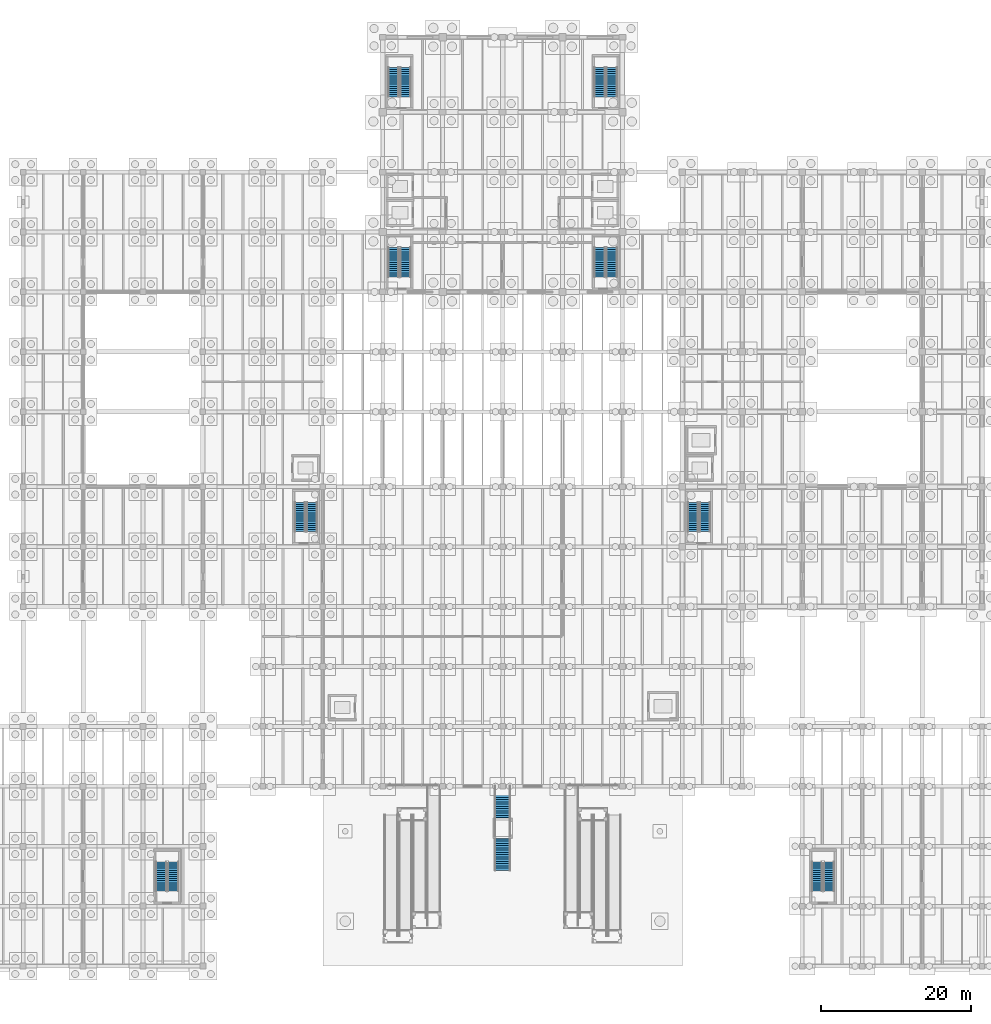
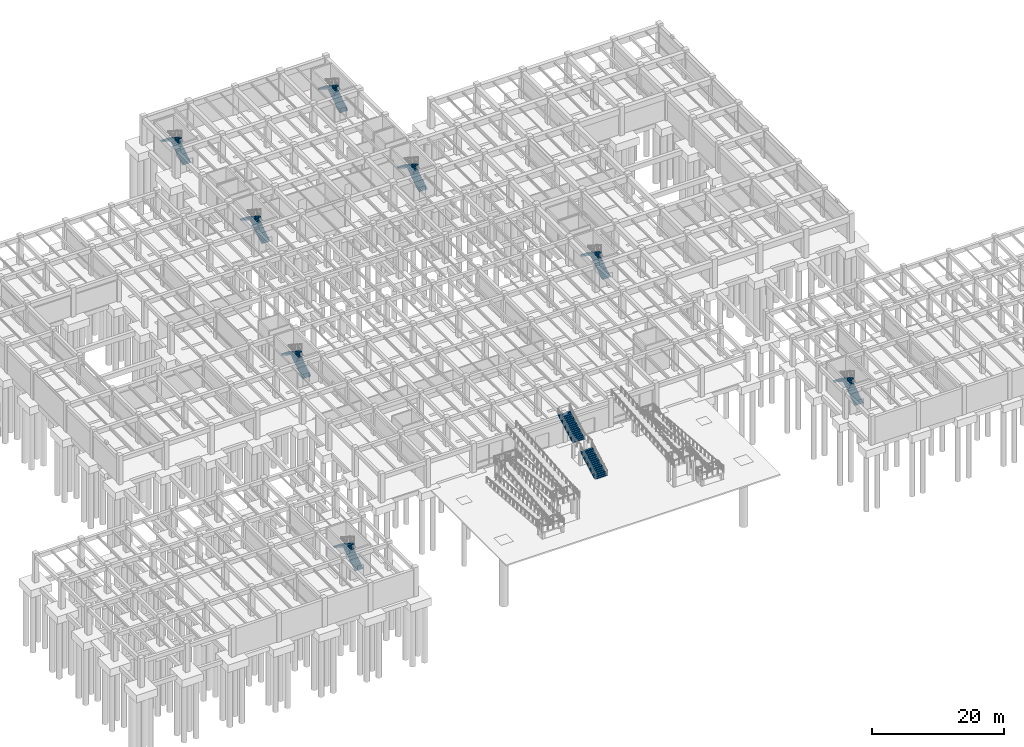
# One storey, part 31 of 44: 18 stair flights, 9 elements without a shape of their own.
"""IFC4 building model written with IfcOpenShell, lengths in metres."""

from ifc_helpers import new_model, si_unit, direction, frame, origin, place, context, subcontext, project, spatial, polyline, outline, extrude, material, type_object, element, aggregate, save


model = new_model("IFC4")

# Units and contexts
model_context = context("Model", 3, precision=1e-05, world=origin(), true_north=direction((0.0, 1.0)))
body_context = subcontext(model_context, "Body", "Model", "MODEL_VIEW")
ifc_project = project(units=[si_unit("LENGTHUNIT", "METRE"), si_unit("AREAUNIT", "SQUARE_METRE"), si_unit("VOLUMEUNIT", "CUBIC_METRE"), si_unit("PLANEANGLEUNIT", "RADIAN"), si_unit("MASSUNIT", "GRAM", prefix="KILO")], contexts=[model_context])

# Site, building, storey
site_placement = place(None, origin())
site = spatial("IfcSite", under=ifc_project, at=site_placement, CompositionType="ELEMENT")
building_placement = place(site_placement, origin())
building = spatial("IfcBuilding", under=site, at=building_placement, Name="Pecanmere Concourse Central Library", CompositionType="ELEMENT")
storey_placement = place(building_placement, frame((0.0, 0.0, -5.39990234375)))
storey = spatial("IfcBuildingStorey", under=building, at=storey_placement, Name="B1", CompositionType="ELEMENT", Elevation=-5.39990234375)

# Stair, stair flights
ifc_material_1 = material(Name="Concrete C35/45", Category="concrete")
stair_type_1 = type_object("IfcStairType", Name="STAIR_TYPE_ST-01-1800", PredefinedType="USERDEFINED", material=ifc_material_1)
stair_1_placement = place(storey_placement, origin())
stair_1 = element("IfcStair", 1, at=stair_1_placement, inside=storey, type_object=stair_type_1, Name="B1 Protected Stair ST-01", ObjectType="TWO_RETURN_STAIR", PredefinedType="USERDEFINED")
ifc_material_2 = material(Name="Concrete C35/45", Category="concrete")
stair_flight_type_1 = type_object("IfcStairFlightType", Name="FLIGHT_TYPE_SFL-145-1800", PredefinedType="STRAIGHT", material=ifc_material_2)
stair_flight_1_placement = place(storey_placement, frame((75.034912109375, 92.0, 0.0), z_axis=(0.0, 0.0, 1.0), x_axis=(0.0, 1.0, 0.0)))
stair_flight_1 = element("IfcStairFlight", 2, at=stair_flight_1_placement, type_object=stair_flight_type_1, Name="ST-01-1800 flight 1", NumberOfRisers=15, NumberOfTreads=14, PredefinedType="STRAIGHT", RiserHeight=0.18, TreadLength=0.28, context=body_context, shape_type="SweptSolid", body=[
    extrude(outline(polyline([(0.0, 0.0), (0.0, 0.179931640625), (0.280029296875, 0.179931640625), (0.280029296875, 0.360107421875), (0.56005859375, 0.360107421875), (0.56005859375, 0.5400390625), (0.840087890625, 0.5400390625), (0.840087890625, 0.719970703125), (1.1201171875, 0.719970703125), (1.1201171875, 0.89990234375), (1.39990234375, 0.89990234375), (1.39990234375, 1.080078125), (1.679931640625, 1.080078125), (1.679931640625, 1.260009765625), (1.9599609375, 1.260009765625), (1.9599609375, 1.43994140625), (2.239990234375, 1.43994140625), (2.239990234375, 1.6201171875), (2.52001953125, 1.6201171875), (2.52001953125, 1.800048828125), (2.800048828125, 1.800048828125), (2.800048828125, 1.97998046875), (3.080078125, 1.97998046875), (3.080078125, 2.159912109375), (3.360107421875, 2.159912109375), (3.360107421875, 2.340087890625), (3.639892578125, 2.340087890625), (3.639892578125, 2.52001953125), (3.919921875, 2.52001953125), (3.919921875, 2.699951171875), (3.919921875, 2.329833984375), (0.295654296875, 0.0), (0.0, 0.0)])), frame((0.0, 0.72509765625, 0.0), z_axis=(0.0, -1.0, 0.0), x_axis=(1.0, 0.0, 0.0)), (0.0, 0.0, 1.0), 1.449951171875),
])
stair_flight_2_placement = place(storey_placement, frame((73.425048828125, 95.919921875, 2.699951171875), z_axis=(0.0, 0.0, 1.0), x_axis=(0.0, -1.0, 0.0)))
stair_flight_2 = element("IfcStairFlight", 3, at=stair_flight_2_placement, type_object=stair_flight_type_1, Name="ST-01-1800 flight 2", NumberOfRisers=15, NumberOfTreads=14, PredefinedType="STRAIGHT", RiserHeight=0.18, TreadLength=0.28, context=body_context, shape_type="SweptSolid", body=[
    extrude(outline(polyline([(0.0, 0.0), (0.0, 0.179931640625), (0.280029296875, 0.179931640625), (0.280029296875, 0.360107421875), (0.56005859375, 0.360107421875), (0.56005859375, 0.5400390625), (0.840087890625, 0.5400390625), (0.840087890625, 0.719970703125), (1.1201171875, 0.719970703125), (1.1201171875, 0.89990234375), (1.39990234375, 0.89990234375), (1.39990234375, 1.080078125), (1.679931640625, 1.080078125), (1.679931640625, 1.260009765625), (1.9599609375, 1.260009765625), (1.9599609375, 1.43994140625), (2.239990234375, 1.43994140625), (2.239990234375, 1.6201171875), (2.52001953125, 1.6201171875), (2.52001953125, 1.800048828125), (2.800048828125, 1.800048828125), (2.800048828125, 1.97998046875), (3.080078125, 1.97998046875), (3.080078125, 2.159912109375), (3.360107421875, 2.159912109375), (3.360107421875, 2.340087890625), (3.639892578125, 2.340087890625), (3.639892578125, 2.52001953125), (3.919921875, 2.52001953125), (3.919921875, 2.699951171875), (3.919921875, 2.329833984375), (0.295654296875, 0.0), (0.0, 0.0)])), frame((0.0, 0.72509765625, 0.0), z_axis=(0.0, -1.0, 0.0), x_axis=(1.0, 0.0, 0.0)), (0.0, 0.0, 1.0), 1.449951171875),
])
aggregate(stair_1, [stair_flight_1, stair_flight_2])

ifc_material_3 = material(Name="Concrete C35/45", Category="concrete")
stair_type_2 = type_object("IfcStairType", Name="STAIR_TYPE_ST-02-1800", PredefinedType="USERDEFINED", material=ifc_material_3)
stair_2_placement = place(storey_placement, origin())
stair_2 = element("IfcStair", 4, at=stair_2_placement, inside=storey, type_object=stair_type_2, Name="B1 Protected Stair ST-02", ObjectType="TWO_RETURN_STAIR", PredefinedType="USERDEFINED")
stair_flight_3_placement = place(storey_placement, frame((102.574951171875, 92.0, 0.0), z_axis=(0.0, 0.0, 1.0), x_axis=(0.0, 1.0, 0.0)))
stair_flight_3 = element("IfcStairFlight", 5, at=stair_flight_3_placement, type_object=stair_flight_type_1, Name="ST-02-1800 flight 1", NumberOfRisers=15, NumberOfTreads=14, PredefinedType="STRAIGHT", RiserHeight=0.18, TreadLength=0.28, context=body_context, shape_type="SweptSolid", body=[
    extrude(outline(polyline([(0.0, 0.0), (0.0, 0.179931640625), (0.280029296875, 0.179931640625), (0.280029296875, 0.360107421875), (0.56005859375, 0.360107421875), (0.56005859375, 0.5400390625), (0.840087890625, 0.5400390625), (0.840087890625, 0.719970703125), (1.1201171875, 0.719970703125), (1.1201171875, 0.89990234375), (1.39990234375, 0.89990234375), (1.39990234375, 1.080078125), (1.679931640625, 1.080078125), (1.679931640625, 1.260009765625), (1.9599609375, 1.260009765625), (1.9599609375, 1.43994140625), (2.239990234375, 1.43994140625), (2.239990234375, 1.6201171875), (2.52001953125, 1.6201171875), (2.52001953125, 1.800048828125), (2.800048828125, 1.800048828125), (2.800048828125, 1.97998046875), (3.080078125, 1.97998046875), (3.080078125, 2.159912109375), (3.360107421875, 2.159912109375), (3.360107421875, 2.340087890625), (3.639892578125, 2.340087890625), (3.639892578125, 2.52001953125), (3.919921875, 2.52001953125), (3.919921875, 2.699951171875), (3.919921875, 2.329833984375), (0.295654296875, 0.0), (0.0, 0.0)])), frame((0.0, 0.72509765625, 0.0), z_axis=(0.0, -1.0, 0.0), x_axis=(1.0, 0.0, 0.0)), (0.0, 0.0, 1.0), 1.449951171875),
])
stair_flight_4_placement = place(storey_placement, frame((100.965087890625, 95.919921875, 2.699951171875), z_axis=(0.0, 0.0, 1.0), x_axis=(0.0, -1.0, 0.0)))
stair_flight_4 = element("IfcStairFlight", 6, at=stair_flight_4_placement, type_object=stair_flight_type_1, Name="ST-02-1800 flight 2", NumberOfRisers=15, NumberOfTreads=14, PredefinedType="STRAIGHT", RiserHeight=0.18, TreadLength=0.28, context=body_context, shape_type="SweptSolid", body=[
    extrude(outline(polyline([(0.0, 0.0), (0.0, 0.179931640625), (0.280029296875, 0.179931640625), (0.280029296875, 0.360107421875), (0.56005859375, 0.360107421875), (0.56005859375, 0.5400390625), (0.840087890625, 0.5400390625), (0.840087890625, 0.719970703125), (1.1201171875, 0.719970703125), (1.1201171875, 0.89990234375), (1.39990234375, 0.89990234375), (1.39990234375, 1.080078125), (1.679931640625, 1.080078125), (1.679931640625, 1.260009765625), (1.9599609375, 1.260009765625), (1.9599609375, 1.43994140625), (2.239990234375, 1.43994140625), (2.239990234375, 1.6201171875), (2.52001953125, 1.6201171875), (2.52001953125, 1.800048828125), (2.800048828125, 1.800048828125), (2.800048828125, 1.97998046875), (3.080078125, 1.97998046875), (3.080078125, 2.159912109375), (3.360107421875, 2.159912109375), (3.360107421875, 2.340087890625), (3.639892578125, 2.340087890625), (3.639892578125, 2.52001953125), (3.919921875, 2.52001953125), (3.919921875, 2.699951171875), (3.919921875, 2.329833984375), (0.295654296875, 0.0), (0.0, 0.0)])), frame((0.0, 0.72509765625, 0.0), z_axis=(0.0, -1.0, 0.0), x_axis=(1.0, 0.0, 0.0)), (0.0, 0.0, 1.0), 1.449951171875),
])
aggregate(stair_2, [stair_flight_3, stair_flight_4])

ifc_material_4 = material(Name="Concrete C35/45", Category="concrete")
stair_type_3 = type_object("IfcStairType", Name="STAIR_TYPE_ST-03-1800", PredefinedType="USERDEFINED", material=ifc_material_4)
stair_3_placement = place(storey_placement, origin())
stair_3 = element("IfcStair", 7, at=stair_3_placement, inside=storey, type_object=stair_type_3, Name="B1 Protected Stair ST-03", ObjectType="TWO_RETURN_STAIR", PredefinedType="USERDEFINED")
stair_flight_5_placement = place(storey_placement, frame((75.034912109375, 116.050048828125, 0.0), z_axis=(0.0, 0.0, 1.0), x_axis=(0.0, 1.0, 0.0)))
stair_flight_5 = element("IfcStairFlight", 8, at=stair_flight_5_placement, type_object=stair_flight_type_1, Name="ST-03-1800 flight 1", NumberOfRisers=15, NumberOfTreads=14, PredefinedType="STRAIGHT", RiserHeight=0.18, TreadLength=0.28, context=body_context, shape_type="SweptSolid", body=[
    extrude(outline(polyline([(0.0, 0.0), (0.0, 0.179931640625), (0.280029296875, 0.179931640625), (0.280029296875, 0.360107421875), (0.56005859375, 0.360107421875), (0.56005859375, 0.5400390625), (0.840087890625, 0.5400390625), (0.840087890625, 0.719970703125), (1.1201171875, 0.719970703125), (1.1201171875, 0.89990234375), (1.39990234375, 0.89990234375), (1.39990234375, 1.080078125), (1.679931640625, 1.080078125), (1.679931640625, 1.260009765625), (1.9599609375, 1.260009765625), (1.9599609375, 1.43994140625), (2.239990234375, 1.43994140625), (2.239990234375, 1.6201171875), (2.52001953125, 1.6201171875), (2.52001953125, 1.800048828125), (2.800048828125, 1.800048828125), (2.800048828125, 1.97998046875), (3.080078125, 1.97998046875), (3.080078125, 2.159912109375), (3.360107421875, 2.159912109375), (3.360107421875, 2.340087890625), (3.639892578125, 2.340087890625), (3.639892578125, 2.52001953125), (3.919921875, 2.52001953125), (3.919921875, 2.699951171875), (3.919921875, 2.329833984375), (0.295654296875, 0.0), (0.0, 0.0)])), frame((0.0, 0.72509765625, 0.0), z_axis=(0.0, -1.0, 0.0), x_axis=(1.0, 0.0, 0.0)), (0.0, 0.0, 1.0), 1.449951171875),
])
stair_flight_6_placement = place(storey_placement, frame((73.425048828125, 119.969970703125, 2.699951171875), z_axis=(0.0, 0.0, 1.0), x_axis=(0.0, -1.0, 0.0)))
stair_flight_6 = element("IfcStairFlight", 9, at=stair_flight_6_placement, type_object=stair_flight_type_1, Name="ST-03-1800 flight 2", NumberOfRisers=15, NumberOfTreads=14, PredefinedType="STRAIGHT", RiserHeight=0.18, TreadLength=0.28, context=body_context, shape_type="SweptSolid", body=[
    extrude(outline(polyline([(0.0, 0.0), (0.0, 0.179931640625), (0.280029296875, 0.179931640625), (0.280029296875, 0.360107421875), (0.56005859375, 0.360107421875), (0.56005859375, 0.5400390625), (0.840087890625, 0.5400390625), (0.840087890625, 0.719970703125), (1.1201171875, 0.719970703125), (1.1201171875, 0.89990234375), (1.39990234375, 0.89990234375), (1.39990234375, 1.080078125), (1.679931640625, 1.080078125), (1.679931640625, 1.260009765625), (1.9599609375, 1.260009765625), (1.9599609375, 1.43994140625), (2.239990234375, 1.43994140625), (2.239990234375, 1.6201171875), (2.52001953125, 1.6201171875), (2.52001953125, 1.800048828125), (2.800048828125, 1.800048828125), (2.800048828125, 1.97998046875), (3.080078125, 1.97998046875), (3.080078125, 2.159912109375), (3.360107421875, 2.159912109375), (3.360107421875, 2.340087890625), (3.639892578125, 2.340087890625), (3.639892578125, 2.52001953125), (3.919921875, 2.52001953125), (3.919921875, 2.699951171875), (3.919921875, 2.329833984375), (0.295654296875, 0.0), (0.0, 0.0)])), frame((0.0, 0.72509765625, 0.0), z_axis=(0.0, -1.0, 0.0), x_axis=(1.0, 0.0, 0.0)), (0.0, 0.0, 1.0), 1.449951171875),
])
aggregate(stair_3, [stair_flight_5, stair_flight_6])

ifc_material_5 = material(Name="Concrete C35/45", Category="concrete")
stair_type_4 = type_object("IfcStairType", Name="STAIR_TYPE_ST-04-1800", PredefinedType="USERDEFINED", material=ifc_material_5)
stair_4_placement = place(storey_placement, origin())
stair_4 = element("IfcStair", 10, at=stair_4_placement, inside=storey, type_object=stair_type_4, Name="B1 Protected Stair ST-04", ObjectType="TWO_RETURN_STAIR", PredefinedType="USERDEFINED")
stair_flight_7_placement = place(storey_placement, frame((102.574951171875, 116.050048828125, 0.0), z_axis=(0.0, 0.0, 1.0), x_axis=(0.0, 1.0, 0.0)))
stair_flight_7 = element("IfcStairFlight", 11, at=stair_flight_7_placement, type_object=stair_flight_type_1, Name="ST-04-1800 flight 1", NumberOfRisers=15, NumberOfTreads=14, PredefinedType="STRAIGHT", RiserHeight=0.18, TreadLength=0.28, context=body_context, shape_type="SweptSolid", body=[
    extrude(outline(polyline([(0.0, 0.0), (0.0, 0.179931640625), (0.280029296875, 0.179931640625), (0.280029296875, 0.360107421875), (0.56005859375, 0.360107421875), (0.56005859375, 0.5400390625), (0.840087890625, 0.5400390625), (0.840087890625, 0.719970703125), (1.1201171875, 0.719970703125), (1.1201171875, 0.89990234375), (1.39990234375, 0.89990234375), (1.39990234375, 1.080078125), (1.679931640625, 1.080078125), (1.679931640625, 1.260009765625), (1.9599609375, 1.260009765625), (1.9599609375, 1.43994140625), (2.239990234375, 1.43994140625), (2.239990234375, 1.6201171875), (2.52001953125, 1.6201171875), (2.52001953125, 1.800048828125), (2.800048828125, 1.800048828125), (2.800048828125, 1.97998046875), (3.080078125, 1.97998046875), (3.080078125, 2.159912109375), (3.360107421875, 2.159912109375), (3.360107421875, 2.340087890625), (3.639892578125, 2.340087890625), (3.639892578125, 2.52001953125), (3.919921875, 2.52001953125), (3.919921875, 2.699951171875), (3.919921875, 2.329833984375), (0.295654296875, 0.0), (0.0, 0.0)])), frame((0.0, 0.72509765625, 0.0), z_axis=(0.0, -1.0, 0.0), x_axis=(1.0, 0.0, 0.0)), (0.0, 0.0, 1.0), 1.449951171875),
])
stair_flight_8_placement = place(storey_placement, frame((100.965087890625, 119.969970703125, 2.699951171875), z_axis=(0.0, 0.0, 1.0), x_axis=(0.0, -1.0, 0.0)))
stair_flight_8 = element("IfcStairFlight", 12, at=stair_flight_8_placement, type_object=stair_flight_type_1, Name="ST-04-1800 flight 2", NumberOfRisers=15, NumberOfTreads=14, PredefinedType="STRAIGHT", RiserHeight=0.18, TreadLength=0.28, context=body_context, shape_type="SweptSolid", body=[
    extrude(outline(polyline([(0.0, 0.0), (0.0, 0.179931640625), (0.280029296875, 0.179931640625), (0.280029296875, 0.360107421875), (0.56005859375, 0.360107421875), (0.56005859375, 0.5400390625), (0.840087890625, 0.5400390625), (0.840087890625, 0.719970703125), (1.1201171875, 0.719970703125), (1.1201171875, 0.89990234375), (1.39990234375, 0.89990234375), (1.39990234375, 1.080078125), (1.679931640625, 1.080078125), (1.679931640625, 1.260009765625), (1.9599609375, 1.260009765625), (1.9599609375, 1.43994140625), (2.239990234375, 1.43994140625), (2.239990234375, 1.6201171875), (2.52001953125, 1.6201171875), (2.52001953125, 1.800048828125), (2.800048828125, 1.800048828125), (2.800048828125, 1.97998046875), (3.080078125, 1.97998046875), (3.080078125, 2.159912109375), (3.360107421875, 2.159912109375), (3.360107421875, 2.340087890625), (3.639892578125, 2.340087890625), (3.639892578125, 2.52001953125), (3.919921875, 2.52001953125), (3.919921875, 2.699951171875), (3.919921875, 2.329833984375), (0.295654296875, 0.0), (0.0, 0.0)])), frame((0.0, 0.72509765625, 0.0), z_axis=(0.0, -1.0, 0.0), x_axis=(1.0, 0.0, 0.0)), (0.0, 0.0, 1.0), 1.449951171875),
])
aggregate(stair_4, [stair_flight_7, stair_flight_8])

ifc_material_6 = material(Name="Concrete C35/45", Category="concrete")
stair_type_5 = type_object("IfcStairType", Name="STAIR_TYPE_ST-05-1800", PredefinedType="USERDEFINED", material=ifc_material_6)
stair_5_placement = place(storey_placement, origin())
stair_5 = element("IfcStair", 13, at=stair_5_placement, inside=storey, type_object=stair_type_5, Name="B1 Protected Stair ST-05", ObjectType="TWO_RETURN_STAIR", PredefinedType="USERDEFINED")
stair_flight_9_placement = place(storey_placement, frame((115.034912109375, 58.0, 0.0), z_axis=(0.0, 0.0, 1.0), x_axis=(0.0, 1.0, 0.0)))
stair_flight_9 = element("IfcStairFlight", 14, at=stair_flight_9_placement, type_object=stair_flight_type_1, Name="ST-05-1800 flight 1", NumberOfRisers=15, NumberOfTreads=14, PredefinedType="STRAIGHT", RiserHeight=0.18, TreadLength=0.28, context=body_context, shape_type="SweptSolid", body=[
    extrude(outline(polyline([(0.0, 0.0), (0.0, 0.179931640625), (0.280029296875, 0.179931640625), (0.280029296875, 0.360107421875), (0.56005859375, 0.360107421875), (0.56005859375, 0.5400390625), (0.840087890625, 0.5400390625), (0.840087890625, 0.719970703125), (1.1201171875, 0.719970703125), (1.1201171875, 0.89990234375), (1.39990234375, 0.89990234375), (1.39990234375, 1.080078125), (1.679931640625, 1.080078125), (1.679931640625, 1.260009765625), (1.9599609375, 1.260009765625), (1.9599609375, 1.43994140625), (2.239990234375, 1.43994140625), (2.239990234375, 1.6201171875), (2.52001953125, 1.6201171875), (2.52001953125, 1.800048828125), (2.800048828125, 1.800048828125), (2.800048828125, 1.97998046875), (3.080078125, 1.97998046875), (3.080078125, 2.159912109375), (3.360107421875, 2.159912109375), (3.360107421875, 2.340087890625), (3.639892578125, 2.340087890625), (3.639892578125, 2.52001953125), (3.919921875, 2.52001953125), (3.919921875, 2.699951171875), (3.919921875, 2.329833984375), (0.295654296875, 0.0), (0.0, 0.0)])), frame((0.0, 0.72509765625, 0.0), z_axis=(0.0, -1.0, 0.0), x_axis=(1.0, 0.0, 0.0)), (0.0, 0.0, 1.0), 1.449951171875),
])
stair_flight_10_placement = place(storey_placement, frame((113.425048828125, 61.919921875, 2.699951171875), z_axis=(0.0, 0.0, 1.0), x_axis=(0.0, -1.0, 0.0)))
stair_flight_10 = element("IfcStairFlight", 15, at=stair_flight_10_placement, type_object=stair_flight_type_1, Name="ST-05-1800 flight 2", NumberOfRisers=15, NumberOfTreads=14, PredefinedType="STRAIGHT", RiserHeight=0.18, TreadLength=0.28, context=body_context, shape_type="SweptSolid", body=[
    extrude(outline(polyline([(0.0, 0.0), (0.0, 0.179931640625), (0.280029296875, 0.179931640625), (0.280029296875, 0.360107421875), (0.56005859375, 0.360107421875), (0.56005859375, 0.5400390625), (0.840087890625, 0.5400390625), (0.840087890625, 0.719970703125), (1.1201171875, 0.719970703125), (1.1201171875, 0.89990234375), (1.39990234375, 0.89990234375), (1.39990234375, 1.080078125), (1.679931640625, 1.080078125), (1.679931640625, 1.260009765625), (1.9599609375, 1.260009765625), (1.9599609375, 1.43994140625), (2.239990234375, 1.43994140625), (2.239990234375, 1.6201171875), (2.52001953125, 1.6201171875), (2.52001953125, 1.800048828125), (2.800048828125, 1.800048828125), (2.800048828125, 1.97998046875), (3.080078125, 1.97998046875), (3.080078125, 2.159912109375), (3.360107421875, 2.159912109375), (3.360107421875, 2.340087890625), (3.639892578125, 2.340087890625), (3.639892578125, 2.52001953125), (3.919921875, 2.52001953125), (3.919921875, 2.699951171875), (3.919921875, 2.329833984375), (0.295654296875, 0.0), (0.0, 0.0)])), frame((0.0, 0.72509765625, 0.0), z_axis=(0.0, -1.0, 0.0), x_axis=(1.0, 0.0, 0.0)), (0.0, 0.0, 1.0), 1.449951171875),
])
aggregate(stair_5, [stair_flight_9, stair_flight_10])

ifc_material_7 = material(Name="Concrete C35/45", Category="concrete")
stair_type_6 = type_object("IfcStairType", Name="STAIR_TYPE_ST-06-1800", PredefinedType="USERDEFINED", material=ifc_material_7)
stair_6_placement = place(storey_placement, origin())
stair_6 = element("IfcStair", 16, at=stair_6_placement, inside=storey, type_object=stair_type_6, Name="B1 Protected Stair ST-06", ObjectType="TWO_RETURN_STAIR", PredefinedType="USERDEFINED")
stair_flight_11_placement = place(storey_placement, frame((62.574951171875, 58.0, 0.0), z_axis=(0.0, 0.0, 1.0), x_axis=(0.0, 1.0, 0.0)))
stair_flight_11 = element("IfcStairFlight", 17, at=stair_flight_11_placement, type_object=stair_flight_type_1, Name="ST-06-1800 flight 1", NumberOfRisers=15, NumberOfTreads=14, PredefinedType="STRAIGHT", RiserHeight=0.18, TreadLength=0.28, context=body_context, shape_type="SweptSolid", body=[
    extrude(outline(polyline([(0.0, 0.0), (0.0, 0.179931640625), (0.280029296875, 0.179931640625), (0.280029296875, 0.360107421875), (0.56005859375, 0.360107421875), (0.56005859375, 0.5400390625), (0.840087890625, 0.5400390625), (0.840087890625, 0.719970703125), (1.1201171875, 0.719970703125), (1.1201171875, 0.89990234375), (1.39990234375, 0.89990234375), (1.39990234375, 1.080078125), (1.679931640625, 1.080078125), (1.679931640625, 1.260009765625), (1.9599609375, 1.260009765625), (1.9599609375, 1.43994140625), (2.239990234375, 1.43994140625), (2.239990234375, 1.6201171875), (2.52001953125, 1.6201171875), (2.52001953125, 1.800048828125), (2.800048828125, 1.800048828125), (2.800048828125, 1.97998046875), (3.080078125, 1.97998046875), (3.080078125, 2.159912109375), (3.360107421875, 2.159912109375), (3.360107421875, 2.340087890625), (3.639892578125, 2.340087890625), (3.639892578125, 2.52001953125), (3.919921875, 2.52001953125), (3.919921875, 2.699951171875), (3.919921875, 2.329833984375), (0.295654296875, 0.0), (0.0, 0.0)])), frame((0.0, 0.72509765625, 0.0), z_axis=(0.0, -1.0, 0.0), x_axis=(1.0, 0.0, 0.0)), (0.0, 0.0, 1.0), 1.449951171875),
])
stair_flight_12_placement = place(storey_placement, frame((60.965087890625, 61.919921875, 2.699951171875), z_axis=(0.0, 0.0, 1.0), x_axis=(0.0, -1.0, 0.0)))
stair_flight_12 = element("IfcStairFlight", 18, at=stair_flight_12_placement, type_object=stair_flight_type_1, Name="ST-06-1800 flight 2", NumberOfRisers=15, NumberOfTreads=14, PredefinedType="STRAIGHT", RiserHeight=0.18, TreadLength=0.28, context=body_context, shape_type="SweptSolid", body=[
    extrude(outline(polyline([(0.0, 0.0), (0.0, 0.179931640625), (0.280029296875, 0.179931640625), (0.280029296875, 0.360107421875), (0.56005859375, 0.360107421875), (0.56005859375, 0.5400390625), (0.840087890625, 0.5400390625), (0.840087890625, 0.719970703125), (1.1201171875, 0.719970703125), (1.1201171875, 0.89990234375), (1.39990234375, 0.89990234375), (1.39990234375, 1.080078125), (1.679931640625, 1.080078125), (1.679931640625, 1.260009765625), (1.9599609375, 1.260009765625), (1.9599609375, 1.43994140625), (2.239990234375, 1.43994140625), (2.239990234375, 1.6201171875), (2.52001953125, 1.6201171875), (2.52001953125, 1.800048828125), (2.800048828125, 1.800048828125), (2.800048828125, 1.97998046875), (3.080078125, 1.97998046875), (3.080078125, 2.159912109375), (3.360107421875, 2.159912109375), (3.360107421875, 2.340087890625), (3.639892578125, 2.340087890625), (3.639892578125, 2.52001953125), (3.919921875, 2.52001953125), (3.919921875, 2.699951171875), (3.919921875, 2.329833984375), (0.295654296875, 0.0), (0.0, 0.0)])), frame((0.0, 0.72509765625, 0.0), z_axis=(0.0, -1.0, 0.0), x_axis=(1.0, 0.0, 0.0)), (0.0, 0.0, 1.0), 1.449951171875),
])
aggregate(stair_6, [stair_flight_11, stair_flight_12])

ifc_material_8 = material(Name="Concrete C35/45", Category="concrete")
stair_type_7 = type_object("IfcStairType", Name="STAIR_TYPE_ST-07-1800", PredefinedType="USERDEFINED", material=ifc_material_8)
stair_7_placement = place(storey_placement, origin())
stair_7 = element("IfcStair", 19, at=stair_7_placement, inside=storey, type_object=stair_type_7, Name="B1 Protected Stair ST-07", ObjectType="TWO_RETURN_STAIR", PredefinedType="USERDEFINED")
stair_flight_13_placement = place(storey_placement, frame((44.034912109375, 10.0, 0.0), z_axis=(0.0, 0.0, 1.0), x_axis=(0.0, 1.0, 0.0)))
stair_flight_13 = element("IfcStairFlight", 20, at=stair_flight_13_placement, type_object=stair_flight_type_1, Name="ST-07-1800 flight 1", NumberOfRisers=15, NumberOfTreads=14, PredefinedType="STRAIGHT", RiserHeight=0.18, TreadLength=0.28, context=body_context, shape_type="SweptSolid", body=[
    extrude(outline(polyline([(0.0, 0.0), (0.0, 0.179931640625), (0.280029296875, 0.179931640625), (0.280029296875, 0.360107421875), (0.56005859375, 0.360107421875), (0.56005859375, 0.5400390625), (0.840087890625, 0.5400390625), (0.840087890625, 0.719970703125), (1.1201171875, 0.719970703125), (1.1201171875, 0.89990234375), (1.39990234375, 0.89990234375), (1.39990234375, 1.080078125), (1.679931640625, 1.080078125), (1.679931640625, 1.260009765625), (1.9599609375, 1.260009765625), (1.9599609375, 1.43994140625), (2.239990234375, 1.43994140625), (2.239990234375, 1.6201171875), (2.52001953125, 1.6201171875), (2.52001953125, 1.800048828125), (2.800048828125, 1.800048828125), (2.800048828125, 1.97998046875), (3.080078125, 1.97998046875), (3.080078125, 2.159912109375), (3.360107421875, 2.159912109375), (3.360107421875, 2.340087890625), (3.639892578125, 2.340087890625), (3.639892578125, 2.52001953125), (3.919921875, 2.52001953125), (3.919921875, 2.699951171875), (3.919921875, 2.329833984375), (0.295654296875, 0.0), (0.0, 0.0)])), frame((0.0, 0.72509765625, 0.0), z_axis=(0.0, -1.0, 0.0), x_axis=(1.0, 0.0, 0.0)), (0.0, 0.0, 1.0), 1.449951171875),
])
stair_flight_14_placement = place(storey_placement, frame((42.425048828125, 13.919921875, 2.699951171875), z_axis=(0.0, 0.0, 1.0), x_axis=(0.0, -1.0, 0.0)))
stair_flight_14 = element("IfcStairFlight", 21, at=stair_flight_14_placement, type_object=stair_flight_type_1, Name="ST-07-1800 flight 2", NumberOfRisers=15, NumberOfTreads=14, PredefinedType="STRAIGHT", RiserHeight=0.18, TreadLength=0.28, context=body_context, shape_type="SweptSolid", body=[
    extrude(outline(polyline([(0.0, 0.0), (0.0, 0.179931640625), (0.280029296875, 0.179931640625), (0.280029296875, 0.360107421875), (0.56005859375, 0.360107421875), (0.56005859375, 0.5400390625), (0.840087890625, 0.5400390625), (0.840087890625, 0.719970703125), (1.1201171875, 0.719970703125), (1.1201171875, 0.89990234375), (1.39990234375, 0.89990234375), (1.39990234375, 1.080078125), (1.679931640625, 1.080078125), (1.679931640625, 1.260009765625), (1.9599609375, 1.260009765625), (1.9599609375, 1.43994140625), (2.239990234375, 1.43994140625), (2.239990234375, 1.6201171875), (2.52001953125, 1.6201171875), (2.52001953125, 1.800048828125), (2.800048828125, 1.800048828125), (2.800048828125, 1.97998046875), (3.080078125, 1.97998046875), (3.080078125, 2.159912109375), (3.360107421875, 2.159912109375), (3.360107421875, 2.340087890625), (3.639892578125, 2.340087890625), (3.639892578125, 2.52001953125), (3.919921875, 2.52001953125), (3.919921875, 2.699951171875), (3.919921875, 2.329833984375), (0.295654296875, 0.0), (0.0, 0.0)])), frame((0.0, 0.72509765625, 0.0), z_axis=(0.0, -1.0, 0.0), x_axis=(1.0, 0.0, 0.0)), (0.0, 0.0, 1.0), 1.449951171875),
])
aggregate(stair_7, [stair_flight_13, stair_flight_14])

ifc_material_9 = material(Name="Concrete C35/45", Category="concrete")
stair_type_8 = type_object("IfcStairType", Name="STAIR_TYPE_ST-08-1800", PredefinedType="USERDEFINED", material=ifc_material_9)
stair_8_placement = place(storey_placement, origin())
stair_8 = element("IfcStair", 22, at=stair_8_placement, inside=storey, type_object=stair_type_8, Name="B1 Protected Stair ST-08", ObjectType="TWO_RETURN_STAIR", PredefinedType="USERDEFINED")
stair_flight_15_placement = place(storey_placement, frame((131.574951171875, 10.0, 0.0), z_axis=(0.0, 0.0, 1.0), x_axis=(0.0, 1.0, 0.0)))
stair_flight_15 = element("IfcStairFlight", 23, at=stair_flight_15_placement, type_object=stair_flight_type_1, Name="ST-08-1800 flight 1", NumberOfRisers=15, NumberOfTreads=14, PredefinedType="STRAIGHT", RiserHeight=0.18, TreadLength=0.28, context=body_context, shape_type="SweptSolid", body=[
    extrude(outline(polyline([(0.0, 0.0), (0.0, 0.179931640625), (0.280029296875, 0.179931640625), (0.280029296875, 0.360107421875), (0.56005859375, 0.360107421875), (0.56005859375, 0.5400390625), (0.840087890625, 0.5400390625), (0.840087890625, 0.719970703125), (1.1201171875, 0.719970703125), (1.1201171875, 0.89990234375), (1.39990234375, 0.89990234375), (1.39990234375, 1.080078125), (1.679931640625, 1.080078125), (1.679931640625, 1.260009765625), (1.9599609375, 1.260009765625), (1.9599609375, 1.43994140625), (2.239990234375, 1.43994140625), (2.239990234375, 1.6201171875), (2.52001953125, 1.6201171875), (2.52001953125, 1.800048828125), (2.800048828125, 1.800048828125), (2.800048828125, 1.97998046875), (3.080078125, 1.97998046875), (3.080078125, 2.159912109375), (3.360107421875, 2.159912109375), (3.360107421875, 2.340087890625), (3.639892578125, 2.340087890625), (3.639892578125, 2.52001953125), (3.919921875, 2.52001953125), (3.919921875, 2.699951171875), (3.919921875, 2.329833984375), (0.295654296875, 0.0), (0.0, 0.0)])), frame((0.0, 0.72509765625, 0.0), z_axis=(0.0, -1.0, 0.0), x_axis=(1.0, 0.0, 0.0)), (0.0, 0.0, 1.0), 1.449951171875),
])
stair_flight_16_placement = place(storey_placement, frame((129.965087890625, 13.919921875, 2.699951171875), z_axis=(0.0, 0.0, 1.0), x_axis=(0.0, -1.0, 0.0)))
stair_flight_16 = element("IfcStairFlight", 24, at=stair_flight_16_placement, type_object=stair_flight_type_1, Name="ST-08-1800 flight 2", NumberOfRisers=15, NumberOfTreads=14, PredefinedType="STRAIGHT", RiserHeight=0.18, TreadLength=0.28, context=body_context, shape_type="SweptSolid", body=[
    extrude(outline(polyline([(0.0, 0.0), (0.0, 0.179931640625), (0.280029296875, 0.179931640625), (0.280029296875, 0.360107421875), (0.56005859375, 0.360107421875), (0.56005859375, 0.5400390625), (0.840087890625, 0.5400390625), (0.840087890625, 0.719970703125), (1.1201171875, 0.719970703125), (1.1201171875, 0.89990234375), (1.39990234375, 0.89990234375), (1.39990234375, 1.080078125), (1.679931640625, 1.080078125), (1.679931640625, 1.260009765625), (1.9599609375, 1.260009765625), (1.9599609375, 1.43994140625), (2.239990234375, 1.43994140625), (2.239990234375, 1.6201171875), (2.52001953125, 1.6201171875), (2.52001953125, 1.800048828125), (2.800048828125, 1.800048828125), (2.800048828125, 1.97998046875), (3.080078125, 1.97998046875), (3.080078125, 2.159912109375), (3.360107421875, 2.159912109375), (3.360107421875, 2.340087890625), (3.639892578125, 2.340087890625), (3.639892578125, 2.52001953125), (3.919921875, 2.52001953125), (3.919921875, 2.699951171875), (3.919921875, 2.329833984375), (0.295654296875, 0.0), (0.0, 0.0)])), frame((0.0, 0.72509765625, 0.0), z_axis=(0.0, -1.0, 0.0), x_axis=(1.0, 0.0, 0.0)), (0.0, 0.0, 1.0), 1.449951171875),
])
aggregate(stair_8, [stair_flight_15, stair_flight_16])

ifc_material_10 = material(Name="Concrete C35/45", Category="concrete")
stair_type_9 = type_object("IfcStairType", Name="STAIR_TYPE_ST-M1", PredefinedType="STRAIGHT_RUN_STAIR", material=ifc_material_10)
stair_9_placement = place(storey_placement, origin())
stair_9 = element("IfcStair", 25, at=stair_9_placement, inside=storey, type_object=stair_type_9, Name="Monumental Civic Stair ST-M1", PredefinedType="STRAIGHT_RUN_STAIR")
ifc_material_11 = material(Name="Concrete C35/45", Category="concrete")
stair_flight_type_2 = type_object("IfcStairFlightType", Name="FLIGHT_TYPE_SFL-M1", PredefinedType="STRAIGHT", material=ifc_material_11)
stair_flight_17_placement = place(storey_placement, frame((88.0, 12.780029296875, 0.0), z_axis=(0.0, 0.0, 1.0), x_axis=(0.0, 1.0, 0.0)))
stair_flight_17 = element("IfcStairFlight", 26, at=stair_flight_17_placement, type_object=stair_flight_type_2, Name="ST-M1 Lower Flight", NumberOfRisers=16, NumberOfTreads=15, PredefinedType="STRAIGHT", RiserHeight=0.16875, TreadLength=0.3, context=body_context, shape_type="SweptSolid", body=[
    extrude(outline(polyline([(0.0, 0.0), (0.0, 0.168701171875), (0.300048828125, 0.168701171875), (0.300048828125, 0.33740234375), (0.60009765625, 0.33740234375), (0.60009765625, 0.50634765625), (0.89990234375, 0.50634765625), (0.89990234375, 0.675048828125), (1.199951171875, 0.675048828125), (1.199951171875, 0.84375), (1.5, 0.84375), (1.5, 1.012451171875), (1.800048828125, 1.012451171875), (1.800048828125, 1.18115234375), (2.10009765625, 1.18115234375), (2.10009765625, 1.35009765625), (2.39990234375, 1.35009765625), (2.39990234375, 1.518798828125), (2.699951171875, 1.518798828125), (2.699951171875, 1.6875), (3.0, 1.6875), (3.0, 1.856201171875), (3.300048828125, 1.856201171875), (3.300048828125, 2.02490234375), (3.60009765625, 2.02490234375), (3.60009765625, 2.19384765625), (3.89990234375, 2.19384765625), (3.89990234375, 2.362548828125), (4.199951171875, 2.362548828125), (4.199951171875, 2.53125), (4.5, 2.53125), (4.5, 2.699951171875), (4.5, 2.27880859375), (0.44873046875, 0.0), (0.0, 0.0)])), frame((0.0, 1.050048828125, 0.0), z_axis=(0.0, -1.0, 0.0), x_axis=(1.0, 0.0, 0.0)), (0.0, 0.0, 1.0), 2.10009765625),
])
stair_flight_18_placement = place(storey_placement, frame((88.0, 19.530029296875, 2.699951171875), z_axis=(0.0, 0.0, 1.0), x_axis=(0.0, 1.0, 0.0)))
stair_flight_18 = element("IfcStairFlight", 27, at=stair_flight_18_placement, type_object=stair_flight_type_2, Name="ST-M1 Upper Flight", NumberOfRisers=16, NumberOfTreads=15, PredefinedType="STRAIGHT", RiserHeight=0.16875, TreadLength=0.3, context=body_context, shape_type="SweptSolid", body=[
    extrude(outline(polyline([(0.0, 0.0), (0.0, 0.168701171875), (0.300048828125, 0.168701171875), (0.300048828125, 0.33740234375), (0.60009765625, 0.33740234375), (0.60009765625, 0.50634765625), (0.89990234375, 0.50634765625), (0.89990234375, 0.675048828125), (1.199951171875, 0.675048828125), (1.199951171875, 0.84375), (1.5, 0.84375), (1.5, 1.012451171875), (1.800048828125, 1.012451171875), (1.800048828125, 1.18115234375), (2.10009765625, 1.18115234375), (2.10009765625, 1.35009765625), (2.39990234375, 1.35009765625), (2.39990234375, 1.518798828125), (2.699951171875, 1.518798828125), (2.699951171875, 1.6875), (3.0, 1.6875), (3.0, 1.856201171875), (3.300048828125, 1.856201171875), (3.300048828125, 2.02490234375), (3.60009765625, 2.02490234375), (3.60009765625, 2.19384765625), (3.89990234375, 2.19384765625), (3.89990234375, 2.362548828125), (4.199951171875, 2.362548828125), (4.199951171875, 2.53125), (4.5, 2.53125), (4.5, 2.699951171875), (4.5, 2.27880859375), (0.44873046875, 0.0), (0.0, 0.0)])), frame((0.0, 1.050048828125, 0.0), z_axis=(0.0, -1.0, 0.0), x_axis=(1.0, 0.0, 0.0)), (0.0, 0.0, 1.0), 2.10009765625),
])
aggregate(stair_9, [stair_flight_17, stair_flight_18])

save(model, "model.ifc")
